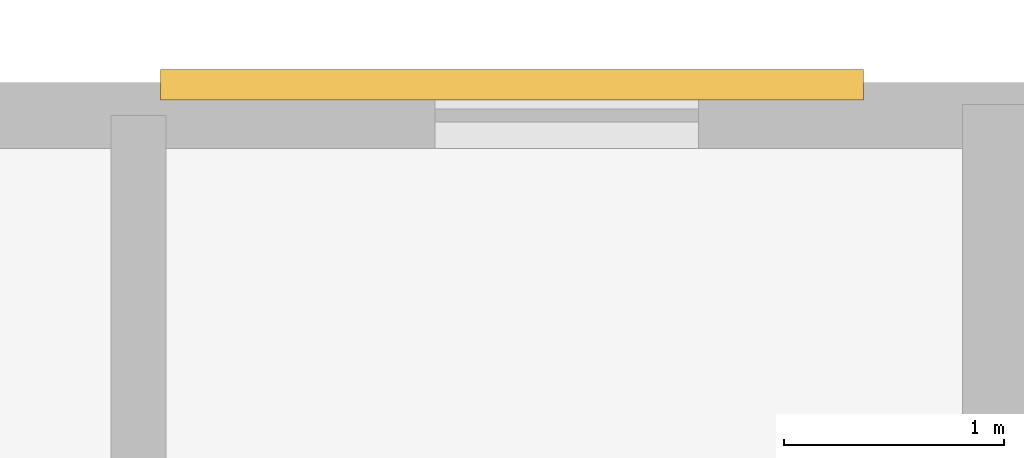
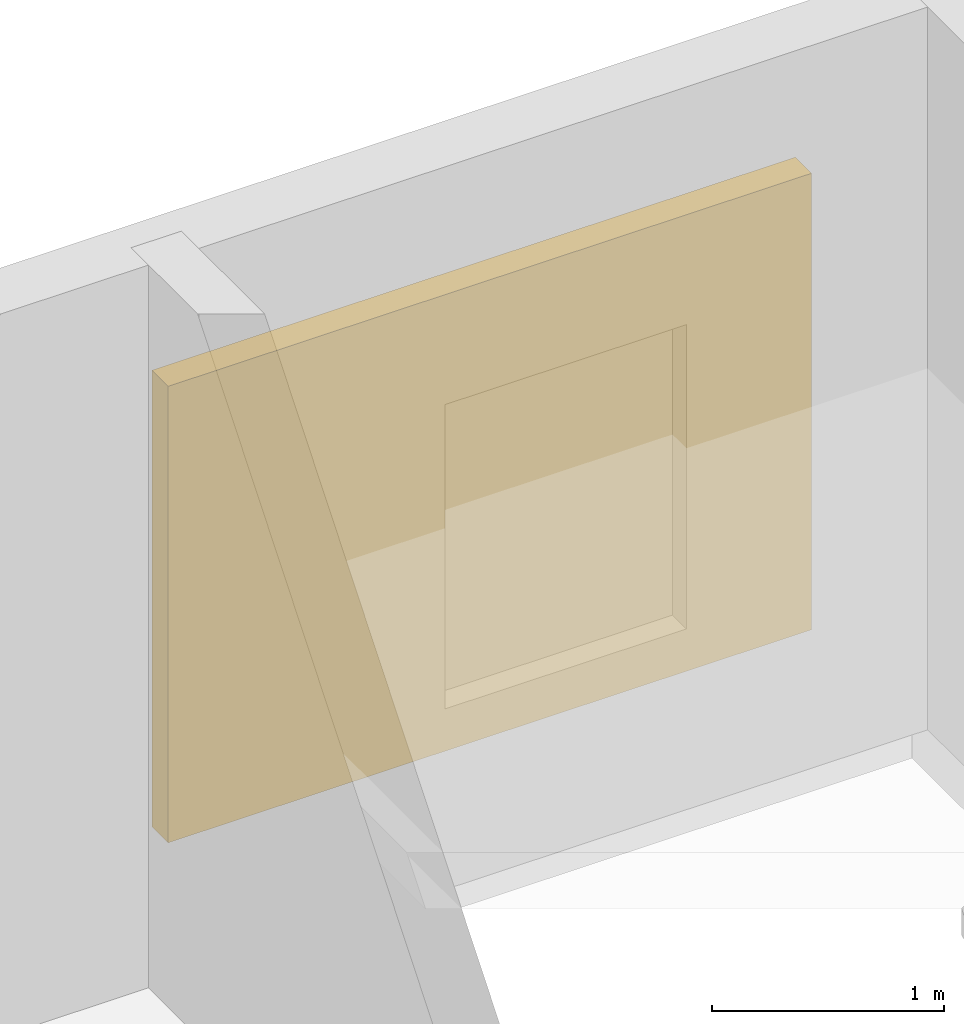
# One storey, part 23 of 23: 1 shading device.
"""IFC4 building model written with IfcOpenShell, lengths in metres."""

from ifc_helpers import new_model, si_unit, direction, frame, origin, origin_2d, place, context, subcontext, project, spatial, rectangle, extrude, material, type_object, element, save


model = new_model("IFC4")

# Units and contexts
model_context = context("Model", 3, precision=1e-05, world=origin(), true_north=direction((0.0, 1.0)))
body_context = subcontext(model_context, "Body", "Model", "MODEL_VIEW")
ifc_project = project(units=[si_unit("LENGTHUNIT", "METRE"), si_unit("AREAUNIT", "SQUARE_METRE"), si_unit("VOLUMEUNIT", "CUBIC_METRE"), si_unit("PLANEANGLEUNIT", "RADIAN"), si_unit("MASSUNIT", "GRAM", prefix="KILO")], contexts=[model_context])

# Site, building, storey
site_placement = place(None, origin())
site = spatial("IfcSite", under=ifc_project, at=site_placement, CompositionType="ELEMENT")
building_placement = place(site_placement, origin())
building = spatial("IfcBuilding", under=site, at=building_placement, Name="Catumbela Crestline Tower", CompositionType="ELEMENT")
storey_placement = place(building_placement, frame((0.0, 0.0, 252.6)))
storey = spatial("IfcBuildingStorey", under=building, at=storey_placement, Name="L65", CompositionType="ELEMENT", Elevation=252.6)

# Shading device
ifc_material = material(Name="Extruded terracotta ceramic", Category="masonry")
shading_device_type = type_object("IfcShadingDeviceType", Name="ST-260", PredefinedType="USERDEFINED", material=ifc_material)
shading_device_placement = place(storey_placement, frame((37.8, 43.04, 0.55), z_axis=(0.0, 0.0, 1.0), x_axis=(1.0, 0.0, 0.0)))
element("IfcShadingDevice", 1, at=shading_device_placement, inside=storey, type_object=shading_device_type, Name="L65 Rear Core Terracotta Brise-Soleil Screen 786", ObjectType="SCREEN", PredefinedType="USERDEFINED", context=body_context, shape_type="SweptSolid", body=[
    extrude(rectangle(XDim=3.2, YDim=0.14, at=origin_2d()), origin(), (0.0, 0.0, 1.0), 2.4),
])

save(model, "model.ifc")
